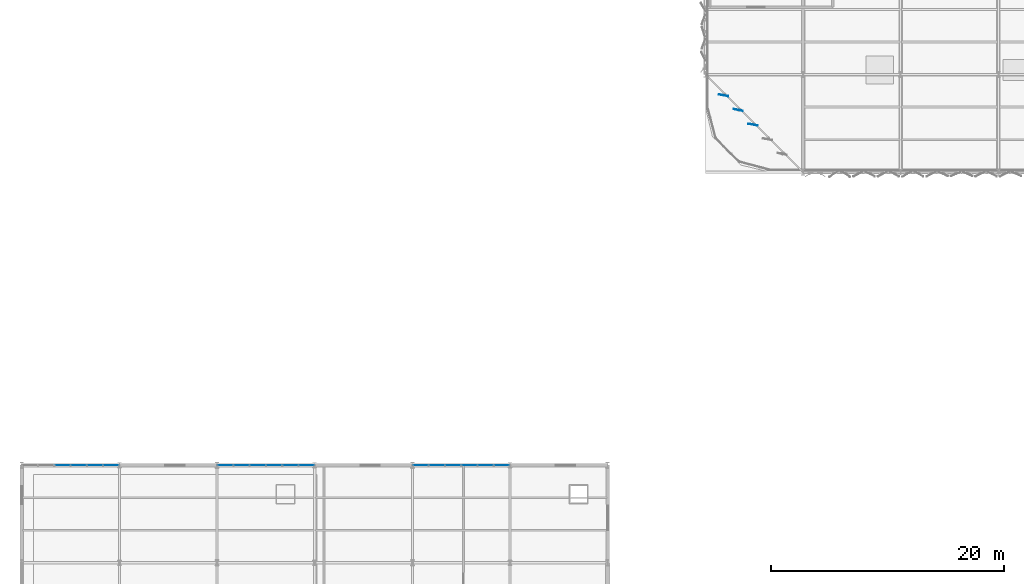
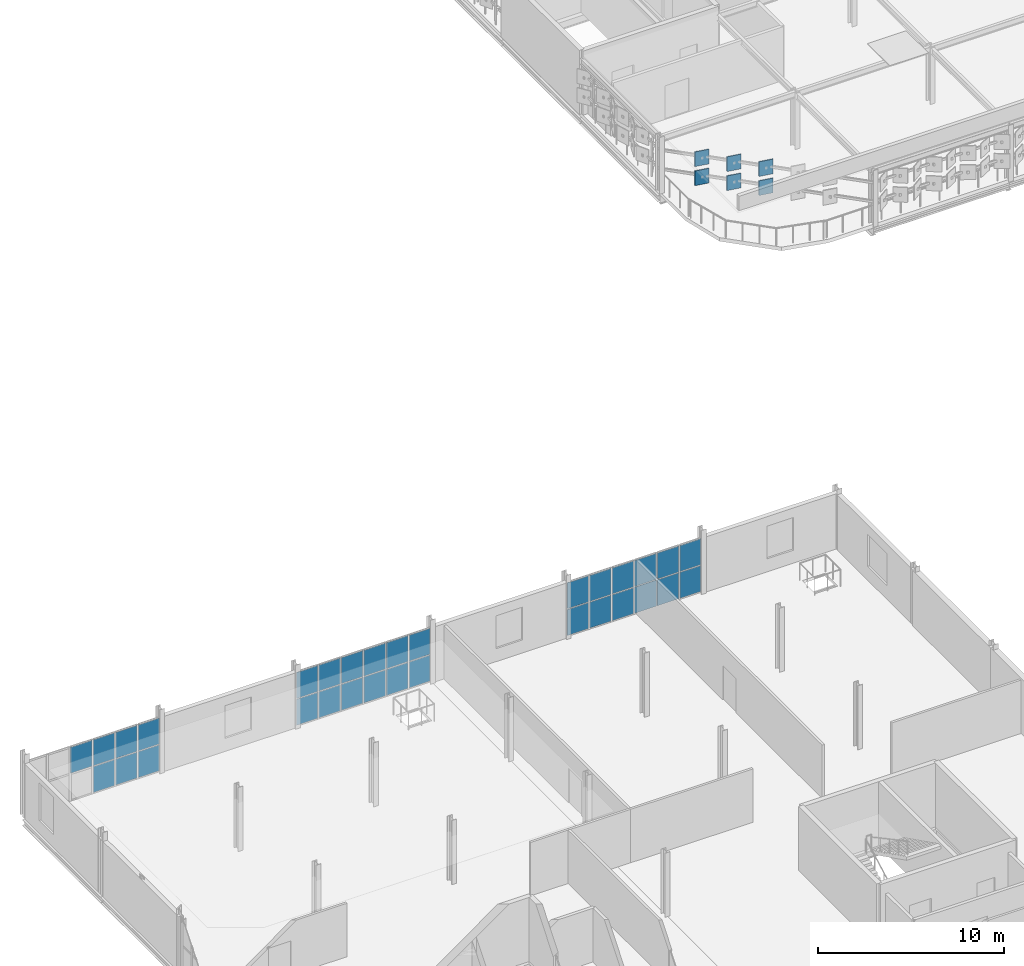
# One storey, part 41 of 65: 37 plates, 3 elements without a shape of their own.
"""IFC4 building model written with IfcOpenShell, lengths in metres."""

from ifc_helpers import new_model, si_unit, direction, frame, origin, origin_2d, place, context, subcontext, project, spatial, rectangle, extrude, material, layer, layer_set, type_object, element, aggregate, save


model = new_model("IFC4")

# Units and contexts
model_context = context("Model", 3, precision=1e-05, world=origin(), true_north=direction((0.0, 1.0)))
body_context = subcontext(model_context, "Body", "Model", "MODEL_VIEW")
ifc_project = project(units=[si_unit("LENGTHUNIT", "METRE"), si_unit("AREAUNIT", "SQUARE_METRE"), si_unit("VOLUMEUNIT", "CUBIC_METRE"), si_unit("PLANEANGLEUNIT", "RADIAN"), si_unit("MASSUNIT", "GRAM", prefix="KILO")], contexts=[model_context])

# Site, building, storey
site_placement = place(None, origin())
site = spatial("IfcSite", under=ifc_project, at=site_placement, CompositionType="ELEMENT")
building_placement = place(site_placement, origin())
building = spatial("IfcBuilding", under=site, at=building_placement, Name="Qalvenar Corner Mobility Hub", CompositionType="ELEMENT")
storey_placement = place(building_placement, frame((0.0, 0.0, 17.39990234375)))
storey = spatial("IfcBuildingStorey", under=building, at=storey_placement, Name="L04", CompositionType="ELEMENT", Elevation=17.39990234375)

# Curtain wall, plates
ifc_material_1 = material(Name="Anodised Aluminium and Low-E Glazing", Category="aluminium")
ifc_layer_1 = layer(ifc_material_1, 0.14990234375)
ifc_layer_set_1 = layer_set([ifc_layer_1], Name="Anodised Aluminium and Low-E Glazing")
curtain_wall_type = type_object("IfcCurtainWallType", Name="CW-CIV-84X40", PredefinedType="NOTDEFINED", material=ifc_layer_set_1)
curtain_wall_1_placement = place(storey_placement, origin())
curtain_wall_1 = element("IfcCurtainWall", 1, at=curtain_wall_1_placement, inside=storey, type_object=curtain_wall_type, Name="Glazed Curtain Wall CW-V3-L04-N0", PredefinedType="NOTDEFINED")
ifc_material_2 = material(Name="Solar-Control Low-E Double Glazing", Category="glass")
ifc_layer_2 = layer(ifc_material_2, 0.028076171875)
ifc_layer_set_2 = layer_set([ifc_layer_2], Name="Solar-Control Low-E Double Glazing")
plate_type_1 = type_object("IfcPlateType", Name="PLT-CWP-GLZ1", PredefinedType="CURTAIN_PANEL", material=ifc_layer_set_2)
plate_1_placement = place(storey_placement, frame((7.68505859375, 42.0, 0.05517578125), z_axis=(0.0, 0.0, 1.0), x_axis=(-1.0, 0.0, 0.0)))
plate_1 = element("IfcPlate", 2, at=plate_1_placement, type_object=plate_type_1, Name="CW-05 panel 1.1", PredefinedType="CURTAIN_PANEL", context=body_context, shape_type="SweptSolid", body=[
    extrude(rectangle(XDim=1.31005859375, YDim=0.028076171875, at=origin_2d()), origin(), (0.0, 0.0, 1.0), 1.702392578125),
])
plate_2_placement = place(storey_placement, frame((7.68505859375, 42.0, 1.8125), z_axis=(0.0, 0.0, 1.0), x_axis=(-1.0, 0.0, 0.0)))
plate_2 = element("IfcPlate", 3, at=plate_2_placement, type_object=plate_type_1, Name="CW-05 panel 1.2", PredefinedType="CURTAIN_PANEL", context=body_context, shape_type="SweptSolid", body=[
    extrude(rectangle(XDim=1.31005859375, YDim=0.028076171875, at=origin_2d()), origin(), (0.0, 0.0, 1.0), 1.702392578125),
])
plate_3_placement = place(storey_placement, frame((6.300048828125, 42.0, 0.05517578125), z_axis=(0.0, 0.0, 1.0), x_axis=(-1.0, 0.0, 0.0)))
plate_3 = element("IfcPlate", 4, at=plate_3_placement, type_object=plate_type_1, Name="CW-05 panel 2.1", PredefinedType="CURTAIN_PANEL", context=body_context, shape_type="SweptSolid", body=[
    extrude(rectangle(XDim=1.340087890625, YDim=0.028076171875, at=origin_2d()), origin(), (0.0, 0.0, 1.0), 1.702392578125),
])
plate_4_placement = place(storey_placement, frame((6.300048828125, 42.0, 1.8125), z_axis=(0.0, 0.0, 1.0), x_axis=(-1.0, 0.0, 0.0)))
plate_4 = element("IfcPlate", 5, at=plate_4_placement, type_object=plate_type_1, Name="CW-05 panel 2.2", PredefinedType="CURTAIN_PANEL", context=body_context, shape_type="SweptSolid", body=[
    extrude(rectangle(XDim=1.340087890625, YDim=0.028076171875, at=origin_2d()), origin(), (0.0, 0.0, 1.0), 1.702392578125),
])
plate_5_placement = place(storey_placement, frame((4.89990234375, 42.0, 0.05517578125), z_axis=(0.0, 0.0, 1.0), x_axis=(-1.0, 0.0, 0.0)))
plate_5 = element("IfcPlate", 6, at=plate_5_placement, type_object=plate_type_1, Name="CW-05 panel 3.1", PredefinedType="CURTAIN_PANEL", context=body_context, shape_type="SweptSolid", body=[
    extrude(rectangle(XDim=1.340087890625, YDim=0.028076171875, at=origin_2d()), origin(), (0.0, 0.0, 1.0), 1.702392578125),
])
plate_6_placement = place(storey_placement, frame((4.89990234375, 42.0, 1.8125), z_axis=(0.0, 0.0, 1.0), x_axis=(-1.0, 0.0, 0.0)))
plate_6 = element("IfcPlate", 7, at=plate_6_placement, type_object=plate_type_1, Name="CW-05 panel 3.2", PredefinedType="CURTAIN_PANEL", context=body_context, shape_type="SweptSolid", body=[
    extrude(rectangle(XDim=1.340087890625, YDim=0.028076171875, at=origin_2d()), origin(), (0.0, 0.0, 1.0), 1.702392578125),
])
plate_7_placement = place(storey_placement, frame((3.5, 42.0, 1.8125), z_axis=(0.0, 0.0, 1.0), x_axis=(-1.0, 0.0, 0.0)))
plate_7 = element("IfcPlate", 8, at=plate_7_placement, type_object=plate_type_1, Name="CW-05 panel 4.2", PredefinedType="CURTAIN_PANEL", context=body_context, shape_type="SweptSolid", body=[
    extrude(rectangle(XDim=1.340087890625, YDim=0.028076171875, at=origin_2d()), origin(), (0.0, 0.0, 1.0), 1.702392578125),
])
aggregate(curtain_wall_1, [plate_1, plate_2, plate_3, plate_4, plate_5, plate_6, plate_7])

curtain_wall_2_placement = place(storey_placement, origin())
curtain_wall_2 = element("IfcCurtainWall", 9, at=curtain_wall_2_placement, inside=storey, type_object=curtain_wall_type, Name="Glazed Curtain Wall CW-V3-L04-N2", PredefinedType="NOTDEFINED")
plate_8_placement = place(storey_placement, frame((24.485107421875, 42.0, 0.05517578125), z_axis=(0.0, 0.0, 1.0), x_axis=(-1.0, 0.0, 0.0)))
plate_8 = element("IfcPlate", 10, at=plate_8_placement, type_object=plate_type_1, Name="CW-05 panel 1.1", PredefinedType="CURTAIN_PANEL", context=body_context, shape_type="SweptSolid", body=[
    extrude(rectangle(XDim=1.31005859375, YDim=0.028076171875, at=origin_2d()), origin(), (0.0, 0.0, 1.0), 1.702392578125),
])
plate_9_placement = place(storey_placement, frame((24.485107421875, 42.0, 1.8125), z_axis=(0.0, 0.0, 1.0), x_axis=(-1.0, 0.0, 0.0)))
plate_9 = element("IfcPlate", 11, at=plate_9_placement, type_object=plate_type_1, Name="CW-05 panel 1.2", PredefinedType="CURTAIN_PANEL", context=body_context, shape_type="SweptSolid", body=[
    extrude(rectangle(XDim=1.31005859375, YDim=0.028076171875, at=origin_2d()), origin(), (0.0, 0.0, 1.0), 1.702392578125),
])
plate_10_placement = place(storey_placement, frame((23.10009765625, 42.0, 0.05517578125), z_axis=(0.0, 0.0, 1.0), x_axis=(-1.0, 0.0, 0.0)))
plate_10 = element("IfcPlate", 12, at=plate_10_placement, type_object=plate_type_1, Name="CW-05 panel 2.1", PredefinedType="CURTAIN_PANEL", context=body_context, shape_type="SweptSolid", body=[
    extrude(rectangle(XDim=1.340087890625, YDim=0.028076171875, at=origin_2d()), origin(), (0.0, 0.0, 1.0), 1.702392578125),
])
plate_11_placement = place(storey_placement, frame((23.10009765625, 42.0, 1.8125), z_axis=(0.0, 0.0, 1.0), x_axis=(-1.0, 0.0, 0.0)))
plate_11 = element("IfcPlate", 13, at=plate_11_placement, type_object=plate_type_1, Name="CW-05 panel 2.2", PredefinedType="CURTAIN_PANEL", context=body_context, shape_type="SweptSolid", body=[
    extrude(rectangle(XDim=1.340087890625, YDim=0.028076171875, at=origin_2d()), origin(), (0.0, 0.0, 1.0), 1.702392578125),
])
plate_12_placement = place(storey_placement, frame((21.699951171875, 42.0, 0.05517578125), z_axis=(0.0, 0.0, 1.0), x_axis=(-1.0, 0.0, 0.0)))
plate_12 = element("IfcPlate", 14, at=plate_12_placement, type_object=plate_type_1, Name="CW-05 panel 3.1", PredefinedType="CURTAIN_PANEL", context=body_context, shape_type="SweptSolid", body=[
    extrude(rectangle(XDim=1.340087890625, YDim=0.028076171875, at=origin_2d()), origin(), (0.0, 0.0, 1.0), 1.702392578125),
])
plate_13_placement = place(storey_placement, frame((21.699951171875, 42.0, 1.8125), z_axis=(0.0, 0.0, 1.0), x_axis=(-1.0, 0.0, 0.0)))
plate_13 = element("IfcPlate", 15, at=plate_13_placement, type_object=plate_type_1, Name="CW-05 panel 3.2", PredefinedType="CURTAIN_PANEL", context=body_context, shape_type="SweptSolid", body=[
    extrude(rectangle(XDim=1.340087890625, YDim=0.028076171875, at=origin_2d()), origin(), (0.0, 0.0, 1.0), 1.702392578125),
])
plate_14_placement = place(storey_placement, frame((20.300048828125, 42.0, 0.05517578125), z_axis=(0.0, 0.0, 1.0), x_axis=(-1.0, 0.0, 0.0)))
plate_14 = element("IfcPlate", 16, at=plate_14_placement, type_object=plate_type_1, Name="CW-05 panel 4.1", PredefinedType="CURTAIN_PANEL", context=body_context, shape_type="SweptSolid", body=[
    extrude(rectangle(XDim=1.340087890625, YDim=0.028076171875, at=origin_2d()), origin(), (0.0, 0.0, 1.0), 1.702392578125),
])
plate_15_placement = place(storey_placement, frame((20.300048828125, 42.0, 1.8125), z_axis=(0.0, 0.0, 1.0), x_axis=(-1.0, 0.0, 0.0)))
plate_15 = element("IfcPlate", 17, at=plate_15_placement, type_object=plate_type_1, Name="CW-05 panel 4.2", PredefinedType="CURTAIN_PANEL", context=body_context, shape_type="SweptSolid", body=[
    extrude(rectangle(XDim=1.340087890625, YDim=0.028076171875, at=origin_2d()), origin(), (0.0, 0.0, 1.0), 1.702392578125),
])
plate_16_placement = place(storey_placement, frame((18.89990234375, 42.0, 0.05517578125), z_axis=(0.0, 0.0, 1.0), x_axis=(-1.0, 0.0, 0.0)))
plate_16 = element("IfcPlate", 18, at=plate_16_placement, type_object=plate_type_1, Name="CW-05 panel 5.1", PredefinedType="CURTAIN_PANEL", context=body_context, shape_type="SweptSolid", body=[
    extrude(rectangle(XDim=1.340087890625, YDim=0.028076171875, at=origin_2d()), origin(), (0.0, 0.0, 1.0), 1.702392578125),
])
plate_17_placement = place(storey_placement, frame((18.89990234375, 42.0, 1.8125), z_axis=(0.0, 0.0, 1.0), x_axis=(-1.0, 0.0, 0.0)))
plate_17 = element("IfcPlate", 19, at=plate_17_placement, type_object=plate_type_1, Name="CW-05 panel 5.2", PredefinedType="CURTAIN_PANEL", context=body_context, shape_type="SweptSolid", body=[
    extrude(rectangle(XDim=1.340087890625, YDim=0.028076171875, at=origin_2d()), origin(), (0.0, 0.0, 1.0), 1.702392578125),
])
plate_18_placement = place(storey_placement, frame((17.514892578125, 42.0, 0.05517578125), z_axis=(0.0, 0.0, 1.0), x_axis=(-1.0, 0.0, 0.0)))
plate_18 = element("IfcPlate", 20, at=plate_18_placement, type_object=plate_type_1, Name="CW-05 panel 6.1", PredefinedType="CURTAIN_PANEL", context=body_context, shape_type="SweptSolid", body=[
    extrude(rectangle(XDim=1.31005859375, YDim=0.028076171875, at=origin_2d()), origin(), (0.0, 0.0, 1.0), 1.702392578125),
])
plate_19_placement = place(storey_placement, frame((17.514892578125, 42.0, 1.8125), z_axis=(0.0, 0.0, 1.0), x_axis=(-1.0, 0.0, 0.0)))
plate_19 = element("IfcPlate", 21, at=plate_19_placement, type_object=plate_type_1, Name="CW-05 panel 6.2", PredefinedType="CURTAIN_PANEL", context=body_context, shape_type="SweptSolid", body=[
    extrude(rectangle(XDim=1.31005859375, YDim=0.028076171875, at=origin_2d()), origin(), (0.0, 0.0, 1.0), 1.702392578125),
])
aggregate(curtain_wall_2, [plate_8, plate_9, plate_10, plate_11, plate_12, plate_13, plate_14, plate_15, plate_16, plate_17, plate_18, plate_19])

curtain_wall_3_placement = place(storey_placement, origin())
curtain_wall_3 = element("IfcCurtainWall", 22, at=curtain_wall_3_placement, inside=storey, type_object=curtain_wall_type, Name="Glazed Curtain Wall CW-V3-L04-N4", PredefinedType="NOTDEFINED")
plate_20_placement = place(storey_placement, frame((41.284912109375, 42.0, 0.05517578125), z_axis=(0.0, 0.0, 1.0), x_axis=(-1.0, 0.0, 0.0)))
plate_20 = element("IfcPlate", 23, at=plate_20_placement, type_object=plate_type_1, Name="CW-05 panel 1.1", PredefinedType="CURTAIN_PANEL", context=body_context, shape_type="SweptSolid", body=[
    extrude(rectangle(XDim=1.31005859375, YDim=0.028076171875, at=origin_2d()), origin(), (0.0, 0.0, 1.0), 1.702392578125),
])
plate_21_placement = place(storey_placement, frame((41.284912109375, 42.0, 1.8125), z_axis=(0.0, 0.0, 1.0), x_axis=(-1.0, 0.0, 0.0)))
plate_21 = element("IfcPlate", 24, at=plate_21_placement, type_object=plate_type_1, Name="CW-05 panel 1.2", PredefinedType="CURTAIN_PANEL", context=body_context, shape_type="SweptSolid", body=[
    extrude(rectangle(XDim=1.31005859375, YDim=0.028076171875, at=origin_2d()), origin(), (0.0, 0.0, 1.0), 1.702392578125),
])
plate_22_placement = place(storey_placement, frame((39.89990234375, 42.0, 0.05517578125), z_axis=(0.0, 0.0, 1.0), x_axis=(-1.0, 0.0, 0.0)))
plate_22 = element("IfcPlate", 25, at=plate_22_placement, type_object=plate_type_1, Name="CW-05 panel 2.1", PredefinedType="CURTAIN_PANEL", context=body_context, shape_type="SweptSolid", body=[
    extrude(rectangle(XDim=1.340087890625, YDim=0.028076171875, at=origin_2d()), origin(), (0.0, 0.0, 1.0), 1.702392578125),
])
plate_23_placement = place(storey_placement, frame((39.89990234375, 42.0, 1.8125), z_axis=(0.0, 0.0, 1.0), x_axis=(-1.0, 0.0, 0.0)))
plate_23 = element("IfcPlate", 26, at=plate_23_placement, type_object=plate_type_1, Name="CW-05 panel 2.2", PredefinedType="CURTAIN_PANEL", context=body_context, shape_type="SweptSolid", body=[
    extrude(rectangle(XDim=1.340087890625, YDim=0.028076171875, at=origin_2d()), origin(), (0.0, 0.0, 1.0), 1.702392578125),
])
plate_24_placement = place(storey_placement, frame((38.5, 42.0, 0.05517578125), z_axis=(0.0, 0.0, 1.0), x_axis=(-1.0, 0.0, 0.0)))
plate_24 = element("IfcPlate", 27, at=plate_24_placement, type_object=plate_type_1, Name="CW-05 panel 3.1", PredefinedType="CURTAIN_PANEL", context=body_context, shape_type="SweptSolid", body=[
    extrude(rectangle(XDim=1.340087890625, YDim=0.028076171875, at=origin_2d()), origin(), (0.0, 0.0, 1.0), 1.702392578125),
])
plate_25_placement = place(storey_placement, frame((38.5, 42.0, 1.8125), z_axis=(0.0, 0.0, 1.0), x_axis=(-1.0, 0.0, 0.0)))
plate_25 = element("IfcPlate", 28, at=plate_25_placement, type_object=plate_type_1, Name="CW-05 panel 3.2", PredefinedType="CURTAIN_PANEL", context=body_context, shape_type="SweptSolid", body=[
    extrude(rectangle(XDim=1.340087890625, YDim=0.028076171875, at=origin_2d()), origin(), (0.0, 0.0, 1.0), 1.702392578125),
])
plate_26_placement = place(storey_placement, frame((37.10009765625, 42.0, 0.05517578125), z_axis=(0.0, 0.0, 1.0), x_axis=(-1.0, 0.0, 0.0)))
plate_26 = element("IfcPlate", 29, at=plate_26_placement, type_object=plate_type_1, Name="CW-05 panel 4.1", PredefinedType="CURTAIN_PANEL", context=body_context, shape_type="SweptSolid", body=[
    extrude(rectangle(XDim=1.340087890625, YDim=0.028076171875, at=origin_2d()), origin(), (0.0, 0.0, 1.0), 1.702392578125),
])
plate_27_placement = place(storey_placement, frame((37.10009765625, 42.0, 1.8125), z_axis=(0.0, 0.0, 1.0), x_axis=(-1.0, 0.0, 0.0)))
plate_27 = element("IfcPlate", 30, at=plate_27_placement, type_object=plate_type_1, Name="CW-05 panel 4.2", PredefinedType="CURTAIN_PANEL", context=body_context, shape_type="SweptSolid", body=[
    extrude(rectangle(XDim=1.340087890625, YDim=0.028076171875, at=origin_2d()), origin(), (0.0, 0.0, 1.0), 1.702392578125),
])
plate_28_placement = place(storey_placement, frame((35.699951171875, 42.0, 0.05517578125), z_axis=(0.0, 0.0, 1.0), x_axis=(-1.0, 0.0, 0.0)))
plate_28 = element("IfcPlate", 31, at=plate_28_placement, type_object=plate_type_1, Name="CW-05 panel 5.1", PredefinedType="CURTAIN_PANEL", context=body_context, shape_type="SweptSolid", body=[
    extrude(rectangle(XDim=1.340087890625, YDim=0.028076171875, at=origin_2d()), origin(), (0.0, 0.0, 1.0), 1.702392578125),
])
plate_29_placement = place(storey_placement, frame((35.699951171875, 42.0, 1.8125), z_axis=(0.0, 0.0, 1.0), x_axis=(-1.0, 0.0, 0.0)))
plate_29 = element("IfcPlate", 32, at=plate_29_placement, type_object=plate_type_1, Name="CW-05 panel 5.2", PredefinedType="CURTAIN_PANEL", context=body_context, shape_type="SweptSolid", body=[
    extrude(rectangle(XDim=1.340087890625, YDim=0.028076171875, at=origin_2d()), origin(), (0.0, 0.0, 1.0), 1.702392578125),
])
plate_30_placement = place(storey_placement, frame((34.31494140625, 42.0, 0.05517578125), z_axis=(0.0, 0.0, 1.0), x_axis=(-1.0, 0.0, 0.0)))
plate_30 = element("IfcPlate", 33, at=plate_30_placement, type_object=plate_type_1, Name="CW-05 panel 6.1", PredefinedType="CURTAIN_PANEL", context=body_context, shape_type="SweptSolid", body=[
    extrude(rectangle(XDim=1.31005859375, YDim=0.028076171875, at=origin_2d()), origin(), (0.0, 0.0, 1.0), 1.702392578125),
])
plate_31_placement = place(storey_placement, frame((34.31494140625, 42.0, 1.8125), z_axis=(0.0, 0.0, 1.0), x_axis=(-1.0, 0.0, 0.0)))
plate_31 = element("IfcPlate", 34, at=plate_31_placement, type_object=plate_type_1, Name="CW-05 panel 6.2", PredefinedType="CURTAIN_PANEL", context=body_context, shape_type="SweptSolid", body=[
    extrude(rectangle(XDim=1.31005859375, YDim=0.028076171875, at=origin_2d()), origin(), (0.0, 0.0, 1.0), 1.702392578125),
])
aggregate(curtain_wall_3, [plate_20, plate_21, plate_22, plate_23, plate_24, plate_25, plate_26, plate_27, plate_28, plate_29, plate_30, plate_31])

# Plates
ifc_material_3 = material(Name="Champagne-Silver Brushed Aluminium", Category="aluminium")
ifc_layer_3 = layer(ifc_material_3, 0.048095703125)
ifc_layer_set_3 = layer_set([ifc_layer_3], Name="Champagne-Silver Brushed Aluminium")
plate_type_2 = type_object("IfcPlateType", Name="PLT-XC-L4-CRN", PredefinedType="SHEET", material=ifc_layer_set_3)
for number, where, z_axis, x_axis, name in (
    (35, (60.366943359375, 73.806884765625, 1.02001953125), (0.0, 0.0, 1.0), (0.981627183448, -0.190808995377, 0.0), "Corner Hinged Panel FPC-L04-1369"),
    (36, (61.626953125, 72.546875, 1.02001953125), (0.0, 0.0, 1.0), (0.981627183448, -0.190808995377, 0.0), "Corner Hinged Panel FPC-L04-1370"),
    (37, (62.886962890625, 71.286865234375, 1.02001953125), (0.0, 0.0, 1.0), (0.981627183448, -0.190808995377, 0.0), "Corner Hinged Panel FPC-L04-1371"),
    (38, (60.366943359375, 73.806884765625, 2.27001953125), (0.0, 0.0, 1.0), (0.981627183448, -0.190808995377, 0.0), "Corner Hinged Panel FPC-L04-1374"),
    (39, (61.626953125, 72.546875, 2.27001953125), (0.0, 0.0, 1.0), (0.981627183448, -0.190808995377, 0.0), "Corner Hinged Panel FPC-L04-1375"),
    (40, (62.886962890625, 71.286865234375, 2.27001953125), (0.0, 0.0, 1.0), (0.981627183448, -0.190808995377, 0.0), "Corner Hinged Panel FPC-L04-1376"),
):
    element("IfcPlate", number, at=place(storey_placement, frame(where, z_axis=z_axis, x_axis=x_axis)), inside=storey, type_object=plate_type_2, Name=name, PredefinedType="SHEET", context=body_context, shape_type="SweptSolid", body=[
        extrude(rectangle(XDim=0.800048828125, YDim=0.048095703125, at=origin_2d()), origin(), (0.0, 0.0, 1.0), 0.9599609375),
    ])

save(model, "model.ifc")
